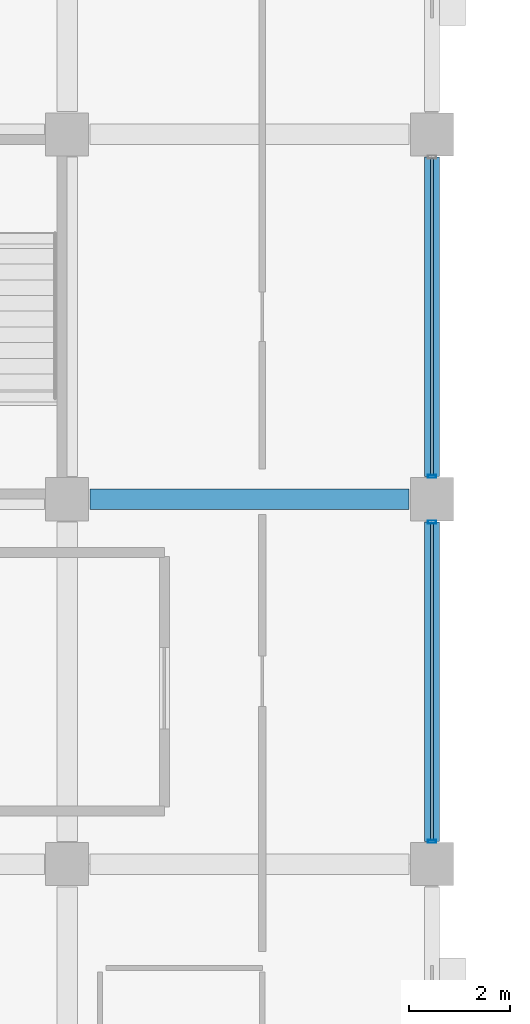
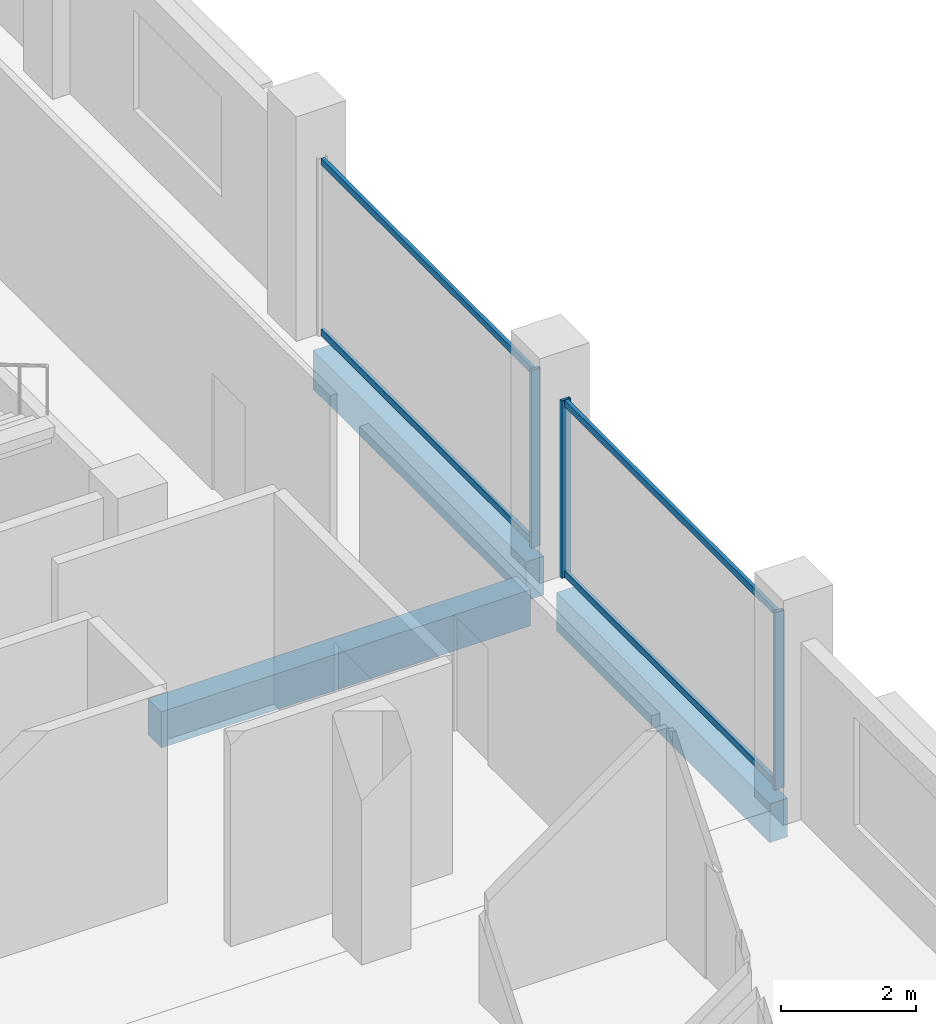
# One storey, part 23 of 107: 7 members, 3 beams, 2 elements without a shape of their own.
"""IFC4 building model written with IfcOpenShell, lengths in metres."""

from ifc_helpers import new_model, si_unit, direction, frame, origin, origin_2d, place, context, subcontext, project, spatial, rectangle, hollow_rectangle, extrude, material, layer, layer_set, material_profile, profile_set, type_object, element, aggregate, save


model = new_model("IFC4")

# Units and contexts
model_context = context("Model", 3, precision=1e-05, world=origin(), true_north=direction((0.0, 1.0)))
body_context = subcontext(model_context, "Body", "Model", "MODEL_VIEW")
ifc_project = project(units=[si_unit("LENGTHUNIT", "METRE"), si_unit("AREAUNIT", "SQUARE_METRE"), si_unit("VOLUMEUNIT", "CUBIC_METRE"), si_unit("PLANEANGLEUNIT", "RADIAN"), si_unit("MASSUNIT", "GRAM", prefix="KILO")], contexts=[model_context])

# Site, building, storey
site_placement = place(None, origin())
site = spatial("IfcSite", under=ifc_project, at=site_placement, CompositionType="ELEMENT")
building_placement = place(site_placement, origin())
building = spatial("IfcBuilding", under=site, at=building_placement, Name="Kangsadwip Square Police Headquarters", CompositionType="ELEMENT")
storey_placement = place(building_placement, frame((0.0, 0.0, 5.39990234375)))
storey = spatial("IfcBuildingStorey", under=building, at=storey_placement, Name="L01", CompositionType="ELEMENT", Elevation=5.39990234375)

# Curtain wall, members
ifc_material_1 = material(Name="Thermally broken anodised aluminium AW-6063-T6", Category="aluminium")
ifc_layer = layer(ifc_material_1, 0.159912109375)
ifc_layer_set = layer_set([ifc_layer], Name="Thermally broken anodised aluminium AW-6063-T6")
curtain_wall_type = type_object("IfcCurtainWallType", Name="CourtScreen6360x3200", PredefinedType="USERDEFINED", material=ifc_layer_set)
curtain_wall_1_placement = place(storey_placement, origin())
curtain_wall_1 = element("IfcCurtainWall", 1, at=curtain_wall_1_placement, inside=storey, type_object=curtain_wall_type, Name="Curtain Wall CW-L01-0216-0652", ObjectType="GLAZED_SCREEN", PredefinedType="USERDEFINED")
ifc_material_2 = material(Name="Thermally broken anodised aluminium AW-6063-T6", Category="aluminium")
ifc_material_profile_1 = material_profile(ifc_material_2, hollow_rectangle(XDim=0.06005859375, YDim=0.159912109375, WallThickness=0.00390625, at=origin_2d()), Name="CWM 160X60X4")
ifc_profile_set_1 = profile_set([ifc_material_profile_1], Name="Thermally broken anodised aluminium AW-6063-T6")
member_type_1 = type_object("IfcMemberType", Name="CwMullion135x60", PredefinedType="MULLION", material=ifc_profile_set_1)
member_1_placement = place(storey_placement, frame((21.60009765625, 65.25, 0.0), z_axis=(0.0, 0.0, 1.0), x_axis=(0.0, 1.0, 0.0)))
member_1 = element("IfcMember", 2, at=member_1_placement, type_object=member_type_1, Name="CW-29 mullion 1", PredefinedType="MULLION", context=body_context, shape_type="SweptSolid", body=[
    extrude(hollow_rectangle(XDim=0.06005859375, YDim=0.159912109375, WallThickness=0.00390625, at=origin_2d()), origin(), (0.0, 0.0, 1.0), 3.2001953125),
])
member_2_placement = place(storey_placement, frame((21.60009765625, 71.550048828125, 0.0), z_axis=(0.0, 0.0, 1.0), x_axis=(0.0, 1.0, 0.0)))
member_2 = element("IfcMember", 3, at=member_2_placement, type_object=member_type_1, Name="CW-29 mullion 2", PredefinedType="MULLION", context=body_context, shape_type="SweptSolid", body=[
    extrude(hollow_rectangle(XDim=0.06005859375, YDim=0.159912109375, WallThickness=0.00390625, at=origin_2d()), origin(), (0.0, 0.0, 1.0), 3.2001953125),
])

# Curtain wall, member
curtain_wall_2_placement = place(storey_placement, origin())
curtain_wall_2 = element("IfcCurtainWall", 4, at=curtain_wall_2_placement, inside=storey, type_object=curtain_wall_type, Name="Curtain Wall CW-L01-0216-0724", ObjectType="GLAZED_SCREEN", PredefinedType="USERDEFINED")
member_3_placement = place(storey_placement, frame((21.60009765625, 72.449951171875, 0.0), z_axis=(0.0, 0.0, 1.0), x_axis=(0.0, 1.0, 0.0)))
member_3 = element("IfcMember", 5, at=member_3_placement, type_object=member_type_1, Name="CW-29 mullion 1", PredefinedType="MULLION", context=body_context, shape_type="SweptSolid", body=[
    extrude(hollow_rectangle(XDim=0.06005859375, YDim=0.159912109375, WallThickness=0.00390625, at=origin_2d()), origin(), (0.0, 0.0, 1.0), 3.2001953125),
])

# Member
ifc_material_3 = material(Name="Thermally broken anodised aluminium AW-6063-T6", Category="aluminium")
ifc_material_profile_2 = material_profile(ifc_material_3, hollow_rectangle(XDim=0.06005859375, YDim=0.1201171875, WallThickness=0.00390625, at=origin_2d()), Name="CWT 120X60X4")
ifc_profile_set_2 = profile_set([ifc_material_profile_2], Name="Thermally broken anodised aluminium AW-6063-T6")
member_type_2 = type_object("IfcMemberType", Name="CwTransom120x55", PredefinedType="USERDEFINED", material=ifc_profile_set_2)
member_4_placement = place(storey_placement, frame((21.60009765625, 65.280029296875, 0.06005859375), z_axis=(0.0, 1.0, 0.0), x_axis=(-1.0, 0.0, 0.0)))
member_4 = element("IfcMember", 6, at=member_4_placement, type_object=member_type_2, Name="CW-29 transom 1.1", ObjectType="TRANSOM", PredefinedType="USERDEFINED", context=body_context, shape_type="SweptSolid", body=[
    extrude(hollow_rectangle(XDim=0.06005859375, YDim=0.1201171875, WallThickness=0.00390625, at=origin_2d()), origin(), (0.0, 0.0, 1.0), 6.239990234375),
])

member_5_placement = place(storey_placement, frame((21.60009765625, 65.280029296875, 3.14013671875), z_axis=(0.0, 1.0, 0.0), x_axis=(-1.0, 0.0, 0.0)))
member_5 = element("IfcMember", 7, at=member_5_placement, type_object=member_type_2, Name="CW-29 transom 1.2", ObjectType="TRANSOM", PredefinedType="USERDEFINED", context=body_context, shape_type="SweptSolid", body=[
    extrude(hollow_rectangle(XDim=0.06005859375, YDim=0.1201171875, WallThickness=0.00390625, at=origin_2d()), origin(), (0.0, 0.0, 1.0), 6.239990234375),
])

aggregate(curtain_wall_1, [member_1, member_2, member_4, member_5])

member_6_placement = place(storey_placement, frame((21.60009765625, 72.47998046875, 0.06005859375), z_axis=(0.0, 1.0, 0.0), x_axis=(-1.0, 0.0, 0.0)))
member_6 = element("IfcMember", 8, at=member_6_placement, type_object=member_type_2, Name="CW-29 transom 1.1", ObjectType="TRANSOM", PredefinedType="USERDEFINED", context=body_context, shape_type="SweptSolid", body=[
    extrude(hollow_rectangle(XDim=0.06005859375, YDim=0.1201171875, WallThickness=0.00390625, at=origin_2d()), origin(), (0.0, 0.0, 1.0), 6.239990234375),
])

member_7_placement = place(storey_placement, frame((21.60009765625, 72.47998046875, 3.14013671875), z_axis=(0.0, 1.0, 0.0), x_axis=(-1.0, 0.0, 0.0)))
member_7 = element("IfcMember", 9, at=member_7_placement, type_object=member_type_2, Name="CW-29 transom 1.2", ObjectType="TRANSOM", PredefinedType="USERDEFINED", context=body_context, shape_type="SweptSolid", body=[
    extrude(hollow_rectangle(XDim=0.06005859375, YDim=0.1201171875, WallThickness=0.00390625, at=origin_2d()), origin(), (0.0, 0.0, 1.0), 6.239990234375),
])

aggregate(curtain_wall_2, [member_3, member_6, member_7])

# Beams
ifc_material_4 = material(Name="Concrete M35 (35 MPa)", Category="concrete")
ifc_material_profile_3 = material_profile(ifc_material_4, rectangle(XDim=0.39990234375, YDim=0.64990234375, at=origin_2d()), Name="RC BM 650X400")
ifc_profile_set_3 = profile_set([ifc_material_profile_3], Name="Concrete M35 (35 MPa)")
beam_type_1 = type_object("IfcBeamType", Name="RcBeam650x400", PredefinedType="BEAM", material=ifc_profile_set_3)
beam_placement = place(storey_placement, frame((14.85009765625, 72.0, -0.56494140625), z_axis=(1.0, 0.0, 0.0), x_axis=(0.0, 1.0, 0.0)))
element("IfcBeam", 10, at=beam_placement, inside=storey, type_object=beam_type_1, Name="Beam BM-L01-X-02-10", PredefinedType="BEAM", context=body_context, shape_type="SweptSolid", body=[
    extrude(rectangle(XDim=0.39990234375, YDim=0.64990234375, at=origin_2d()), origin(), (0.0, 0.0, 1.0), 6.2998046875),
])
ifc_material_5 = material(Name="Concrete M40 (40 MPa)", Category="concrete")
ifc_material_profile_4 = material_profile(ifc_material_5, rectangle(XDim=0.300048828125, YDim=0.699951171875, at=origin_2d()), Name="RC SPN 700X300")
ifc_profile_set_4 = profile_set([ifc_material_profile_4], Name="Concrete M40 (40 MPa)")
beam_type_2 = type_object("IfcBeamType", Name="RcSpandrel700x300", PredefinedType="SPANDREL", material=ifc_profile_set_4)
for number, where, z_axis, x_axis, name in (
    (11, (21.60009765625, 65.25, -0.58984375), (0.0, 1.0, 0.0), (-1.0, 0.0, 0.0), "Beam BM-L01-Y-03-09"),
    (12, (21.60009765625, 72.449951171875, -0.58984375), (0.0, 1.0, 0.0), (-1.0, 0.0, 0.0), "Beam BM-L01-Y-03-10"),
):
    element("IfcBeam", number, at=place(storey_placement, frame(where, z_axis=z_axis, x_axis=x_axis)), inside=storey, type_object=beam_type_2, Name=name, PredefinedType="SPANDREL", context=body_context, shape_type="SweptSolid", body=[
        extrude(rectangle(XDim=0.300048828125, YDim=0.699951171875, at=origin_2d()), origin(), (0.0, 0.0, 1.0), 6.300048828125),
    ])

save(model, "model.ifc")
